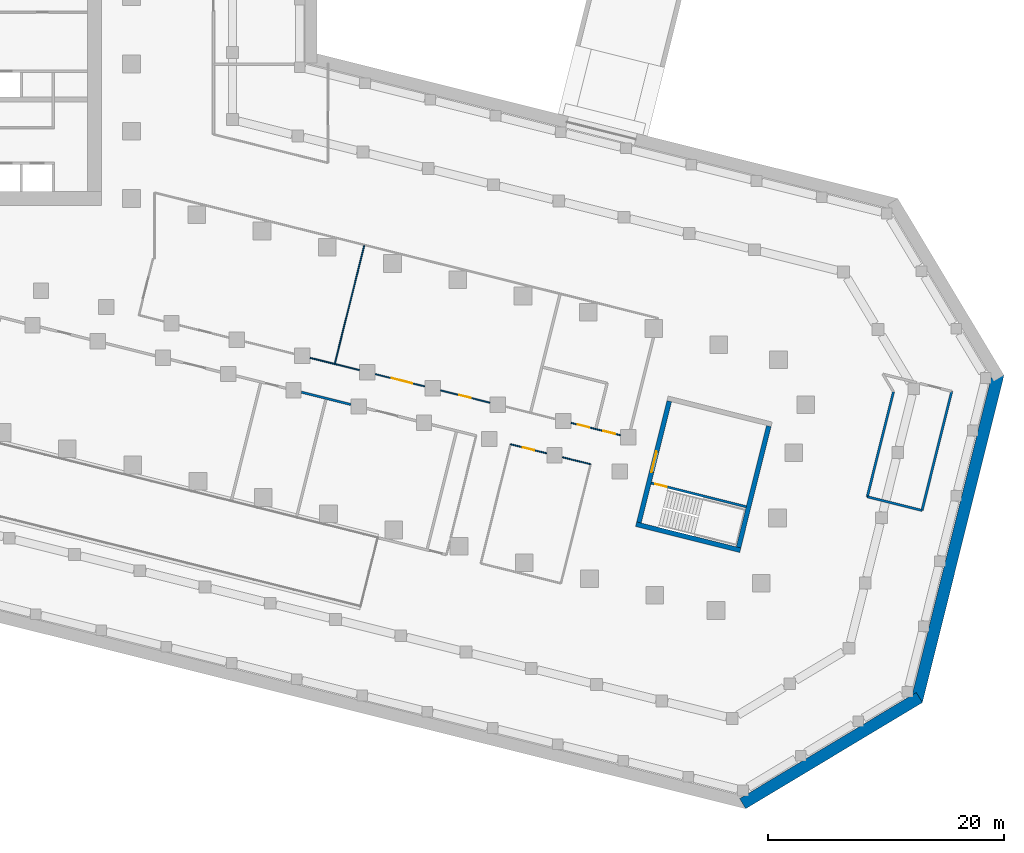
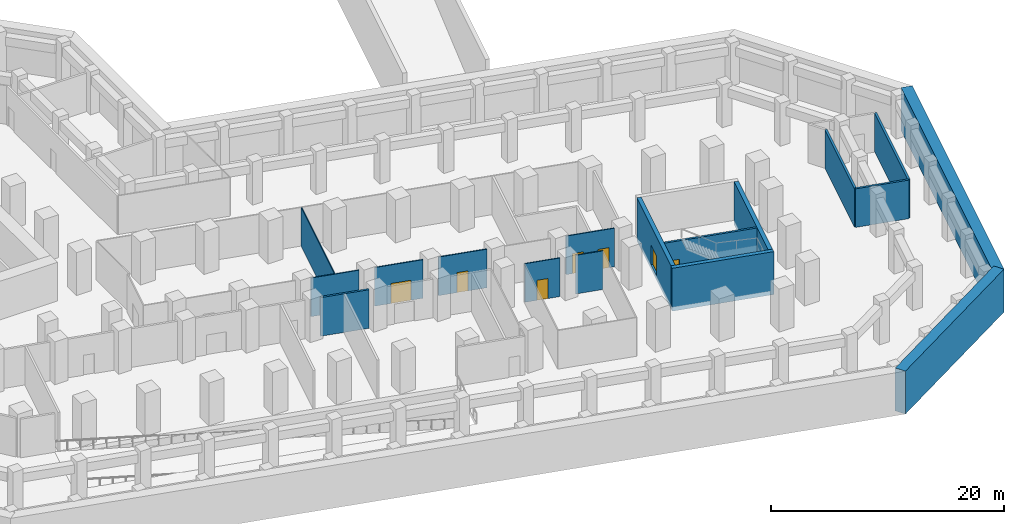
# One storey, part 7 of 14: 17 walls, 7 doors, 7 openings.
"""IFC4 building model written with IfcOpenShell, lengths in metres."""

from ifc_helpers import new_model, si_unit, direction, frame, frame_2d, origin, place, context, subcontext, project, spatial, rectangle, extrude, material, layer, layer_set, type_object, element, fill, save


model = new_model("IFC4")

# Units and contexts
model_context = context("Model", 3, precision=1e-05, world=origin(), true_north=direction((0.0, 1.0)))
body_context = subcontext(model_context, "Body", "Model", "MODEL_VIEW")
ifc_project = project(units=[si_unit("LENGTHUNIT", "METRE"), si_unit("AREAUNIT", "SQUARE_METRE"), si_unit("VOLUMEUNIT", "CUBIC_METRE"), si_unit("PLANEANGLEUNIT", "RADIAN"), si_unit("MASSUNIT", "GRAM", prefix="KILO")], contexts=[model_context])

# Site, building, storey
site_placement = place(None, origin())
site = spatial("IfcSite", under=ifc_project, at=site_placement, CompositionType="ELEMENT")
building_placement = place(site_placement, origin())
building = spatial("IfcBuilding", under=site, at=building_placement, Name="Meshkara Civic Tower", CompositionType="ELEMENT")
storey_placement = place(building_placement, frame((0.0, 0.0, -4.5)))
storey = spatial("IfcBuildingStorey", under=building, at=storey_placement, Name="B1", CompositionType="ELEMENT", Elevation=-4.5)

# Wall
ifc_material_1 = material(Name="Corridor wall 100")
ifc_layer_1 = layer(ifc_material_1, 0.10009765625)
ifc_layer_set_1 = layer_set([ifc_layer_1], Name="Corridor wall 100")
wall_type_1 = type_object("IfcWallType", Name="Corridor wall 100", PredefinedType="PARTITIONING", material=ifc_layer_set_1)
wall_1_placement = place(storey_placement, frame((48.472900390625, 1.208984375, 0.0), z_axis=(0.0, 0.0, 1.0), x_axis=(0.970298563138, -0.241910517285, 0.0)))
element("IfcWall", 1, at=wall_1_placement, inside=storey, type_object=wall_type_1, Name="B1-R062", PredefinedType="PARTITIONING", context=body_context, shape_type="SweptSolid", body=[
    extrude(rectangle(XDim=4.3193359375, YDim=0.10009765625, at=frame_2d((2.15966796875, 0.0))), origin(), (0.0, 0.0, 1.0), 4.050048828125),
])

# Wall, opening, door
wall_2_placement = place(storey_placement, frame((58.194091796875, -1.214111328125, 0.0), z_axis=(0.0, 0.0, 1.0), x_axis=(-0.970325134426, 0.241803915396, 0.0)))
wall_2 = element("IfcWall", 2, at=wall_2_placement, inside=storey, type_object=wall_type_1, Name="B1-R067", PredefinedType="PARTITIONING", context=body_context, shape_type="SweptSolid", body=[
    extrude(rectangle(XDim=4.318359375, YDim=0.10009765625, at=frame_2d((2.1591796875, 0.0))), origin(), (0.0, 0.0, 1.0), 4.050048828125),
])
opening_1_placement = place(wall_2_placement, frame((1.080078125, 0.0, 0.0)))
opening_1 = element("IfcOpeningElement", 3, at=opening_1_placement, cuts=wall_2, Name="Opening B1-P006", PredefinedType="OPENING", context=body_context, shape_type="SweptSolid", body=[
    extrude(rectangle(XDim=1.800048828125, YDim=2.10009765625, at=frame_2d((0.89990234375, 1.050048828125))), frame((0.0, 0.06005859375, 0.0), z_axis=(0.0, -1.0, 0.0), x_axis=(1.0, 0.0, 0.0)), (0.0, 0.0, 1.0), 0.1201171875),
])
ifc_material_2 = material(Name="Door pair 1800 x 2100")
door_type_1 = type_object("IfcDoorType", Name="Door pair 1800 x 2100", OperationType="SINGLE_SWING_LEFT", PredefinedType="DOOR", material=ifc_material_2)
door_1_placement = place(opening_1_placement, origin())
door_1 = element("IfcDoor", 4, at=door_1_placement, inside=storey, type_object=door_type_1, Name="B1-P006", OperationType="DOUBLE_DOOR_SINGLE_SWING", OverallHeight=2.10009765625, OverallWidth=1.800048828125, PredefinedType="DOOR", context=body_context, shape_type="SweptSolid", body=[
    extrude(rectangle(XDim=1.800048828125, YDim=2.10009765625, at=frame_2d((0.89990234375, 1.050048828125))), frame((0.0, 0.02490234375, 0.0), z_axis=(0.0, -1.0, 0.0), x_axis=(1.0, 0.0, 0.0)), (0.0, 0.0, 1.0), 0.050048828125),
])
fill(opening_1, door_1)

wall_3_placement = place(storey_placement, frame((63.72509765625, -2.593994140625, 0.0), z_axis=(0.0, 0.0, 1.0), x_axis=(-0.970298563138, 0.241910517285, 0.0)))
wall_3 = element("IfcWall", 5, at=wall_3_placement, inside=storey, type_object=wall_type_1, Name="B1-R072", PredefinedType="PARTITIONING", context=body_context, shape_type="SweptSolid", body=[
    extrude(rectangle(XDim=4.3193359375, YDim=0.10009765625, at=frame_2d((2.15966796875, 0.0))), origin(), (0.0, 0.0, 1.0), 4.050048828125),
])
opening_2_placement = place(wall_3_placement, frame((1.679931640625, 0.0, 0.0)))
opening_2 = element("IfcOpeningElement", 6, at=opening_2_placement, cuts=wall_3, Name="Opening B1-P007", PredefinedType="OPENING", context=body_context, shape_type="SweptSolid", body=[
    extrude(rectangle(XDim=1.0, YDim=2.10009765625, at=frame_2d((0.5, 1.050048828125))), frame((0.0, 0.06005859375, 0.0), z_axis=(0.0, -1.0, 0.0), x_axis=(1.0, 0.0, 0.0)), (0.0, 0.0, 1.0), 0.1201171875),
])
ifc_material_3 = material(Name="Door 1000 x 2100")
door_type_2 = type_object("IfcDoorType", Name="Door 1000 x 2100", OperationType="SINGLE_SWING_LEFT", PredefinedType="DOOR", material=ifc_material_3)
door_2_placement = place(opening_2_placement, origin())
door_2 = element("IfcDoor", 7, at=door_2_placement, inside=storey, type_object=door_type_2, Name="B1-P007", OperationType="SINGLE_SWING_RIGHT", OverallHeight=2.10009765625, OverallWidth=1.0, PredefinedType="DOOR", context=body_context, shape_type="SweptSolid", body=[
    extrude(rectangle(XDim=1.0, YDim=2.10009765625, at=frame_2d((0.5, 1.050048828125))), frame((0.0, 0.02490234375, 0.0), z_axis=(0.0, -1.0, 0.0), x_axis=(1.0, 0.0, 0.0)), (0.0, 0.0, 1.0), 0.050048828125),
])
fill(opening_2, door_2)

wall_4_placement = place(storey_placement, frame((65.464111328125, -6.118896484375, 0.0), z_axis=(0.0, 0.0, 1.0), x_axis=(0.970314967916, -0.241844708519, 0.0)))
wall_4 = element("IfcWall", 8, at=wall_4_placement, inside=storey, type_object=wall_type_1, Name="B1-R074", PredefinedType="PARTITIONING", context=body_context, shape_type="SweptSolid", body=[
    extrude(rectangle(XDim=3.15966796875, YDim=0.10009765625, at=frame_2d((1.579833984375, 0.0))), origin(), (0.0, 0.0, 1.0), 4.050048828125),
])
opening_3_placement = place(wall_4_placement, frame((1.080078125, 0.0, 0.0)))
opening_3 = element("IfcOpeningElement", 9, at=opening_3_placement, cuts=wall_4, Name="Opening B1-P002", PredefinedType="OPENING", context=body_context, shape_type="SweptSolid", body=[
    extrude(rectangle(XDim=1.0, YDim=2.10009765625, at=frame_2d((0.5, 1.050048828125))), frame((0.0, 0.06005859375, 0.0), z_axis=(0.0, -1.0, 0.0), x_axis=(1.0, 0.0, 0.0)), (0.0, 0.0, 1.0), 0.1201171875),
])
door_3_placement = place(opening_3_placement, origin())
door_3 = element("IfcDoor", 10, at=door_3_placement, inside=storey, type_object=door_type_2, Name="B1-P002", OperationType="SINGLE_SWING_RIGHT", OverallHeight=2.10009765625, OverallWidth=1.0, PredefinedType="DOOR", context=body_context, shape_type="SweptSolid", body=[
    extrude(rectangle(XDim=1.0, YDim=2.10009765625, at=frame_2d((0.5, 1.050048828125))), frame((0.0, 0.02490234375, 0.0), z_axis=(0.0, -1.0, 0.0), x_axis=(1.0, 0.0, 0.0)), (0.0, 0.0, 1.0), 0.050048828125),
])
fill(opening_3, door_3)

# Wall
wall_5_placement = place(storey_placement, frame((69.8701171875, -7.217041015625, 0.0), z_axis=(0.0, 0.0, 1.0), x_axis=(0.970311562898, -0.241858369519, 0.0)))
element("IfcWall", 11, at=wall_5_placement, inside=storey, type_object=wall_type_1, Name="B1-R076", PredefinedType="PARTITIONING", context=body_context, shape_type="SweptSolid", body=[
    extrude(rectangle(XDim=2.4599609375, YDim=0.10009765625, at=frame_2d((1.22998046875, 0.0))), origin(), (0.0, 0.0, 1.0), 4.050048828125),
])

# Wall, openings, doors
wall_6_placement = place(storey_placement, frame((70.595947265625, -4.306884765625, 0.0), z_axis=(0.0, 0.0, 1.0), x_axis=(0.970321828551, -0.241817181023, 0.0)))
wall_6 = element("IfcWall", 12, at=wall_6_placement, inside=storey, type_object=wall_type_1, Name="B1-R077", PredefinedType="PARTITIONING", context=body_context, shape_type="SweptSolid", body=[
    extrude(rectangle(XDim=4.318115234375, YDim=0.10009765625, at=frame_2d((2.1591796875, 0.0))), origin(), (0.0, 0.0, 1.0), 4.050048828125),
])
opening_4_placement = place(wall_6_placement, frame((0.580078125, 0.0, 0.0)))
opening_4 = element("IfcOpeningElement", 13, at=opening_4_placement, cuts=wall_6, Name="Opening B1-P008", PredefinedType="OPENING", context=body_context, shape_type="SweptSolid", body=[
    extrude(rectangle(XDim=1.0, YDim=2.10009765625, at=frame_2d((0.5, 1.050048828125))), frame((0.0, 0.06005859375, 0.0), z_axis=(0.0, -1.0, 0.0), x_axis=(1.0, 0.0, 0.0)), (0.0, 0.0, 1.0), 0.1201171875),
])
opening_5_placement = place(wall_6_placement, frame((2.839111328125, 0.0, 0.0)))
opening_5 = element("IfcOpeningElement", 14, at=opening_5_placement, cuts=wall_6, Name="Opening B1-P009", PredefinedType="OPENING", context=body_context, shape_type="SweptSolid", body=[
    extrude(rectangle(XDim=1.0, YDim=2.10009765625, at=frame_2d((0.5, 1.050048828125))), frame((0.0, 0.06005859375, 0.0), z_axis=(0.0, -1.0, 0.0), x_axis=(1.0, 0.0, 0.0)), (0.0, 0.0, 1.0), 0.1201171875),
])
door_4_placement = place(opening_4_placement, origin())
door_4 = element("IfcDoor", 15, at=door_4_placement, inside=storey, type_object=door_type_2, Name="B1-P008", OperationType="SINGLE_SWING_LEFT", OverallHeight=2.10009765625, OverallWidth=1.0, PredefinedType="DOOR", context=body_context, shape_type="SweptSolid", body=[
    extrude(rectangle(XDim=1.0, YDim=2.10009765625, at=frame_2d((0.5, 1.050048828125))), frame((0.0, 0.02490234375, 0.0), z_axis=(0.0, -1.0, 0.0), x_axis=(1.0, 0.0, 0.0)), (0.0, 0.0, 1.0), 0.050048828125),
])
fill(opening_4, door_4)
door_5_placement = place(opening_5_placement, origin())
door_5 = element("IfcDoor", 16, at=door_5_placement, inside=storey, type_object=door_type_2, Name="B1-P009", OperationType="SINGLE_SWING_RIGHT", OverallHeight=2.10009765625, OverallWidth=1.0, PredefinedType="DOOR", context=body_context, shape_type="SweptSolid", body=[
    extrude(rectangle(XDim=1.0, YDim=2.10009765625, at=frame_2d((0.5, 1.050048828125))), frame((0.0, 0.02490234375, 0.0), z_axis=(0.0, -1.0, 0.0), x_axis=(1.0, 0.0, 0.0)), (0.0, 0.0, 1.0), 0.050048828125),
])
fill(opening_5, door_5)

# Walls
ifc_material_4 = material(Name="Concrete C50", Category="concrete")
ifc_layer_2 = layer(ifc_material_4, 1.0)
ifc_layer_set_2 = layer_set([ifc_layer_2], Name="Diaphragm wall 1000 C50")
wall_type_2 = type_object("IfcWallType", Name="Diaphragm wall 1000 C50", PredefinedType="SOLIDWALL", material=ifc_layer_set_2)
wall_7_placement = place(storey_placement, frame((106.807373046875, -0.14599609375, 0.0), z_axis=(0.0, 0.0, 1.0), x_axis=(-0.241950976383, -0.97028847516, 0.0)))
element("IfcWall", 17, at=wall_7_placement, inside=storey, type_object=wall_type_2, Name="Basement perimeter wall", PredefinedType="SOLIDWALL", context=body_context, shape_type="SweptSolid", body=[
    extrude(rectangle(XDim=28.594482421875, YDim=1.0, at=frame_2d((14.29736328125, 0.0))), origin(), (0.0, 0.0, 1.0), 4.5),
])
wall_8_placement = place(storey_placement, frame((100.116455078125, -27.583251953125, 0.0), z_axis=(0.0, 0.0, 1.0), x_axis=(-0.857158566266, -0.515052611174, 0.0)))
element("IfcWall", 18, at=wall_8_placement, inside=storey, type_object=wall_type_2, Name="Basement perimeter wall", PredefinedType="SOLIDWALL", context=body_context, shape_type="SweptSolid", body=[
    extrude(rectangle(XDim=17.46923828125, YDim=1.0, at=frame_2d((8.734619140625, 0.0))), origin(), (0.0, 0.0, 1.0), 4.5),
])
ifc_material_5 = material(Name="Concrete C80", Category="concrete")
ifc_layer_3 = layer(ifc_material_5, 0.39990234375)
ifc_layer_set_3 = layer_set([ifc_layer_3], Name="End core ring wall 400 C80")
wall_type_3 = type_object("IfcWallType", Name="End core ring wall 400 C80", PredefinedType="SHEAR", material=ifc_layer_set_3)
wall_9_placement = place(storey_placement, frame((76.111083984375, -12.89599609375, -0.449951171875), z_axis=(0.0, 0.0, 1.0), x_axis=(0.970311127573, -0.241860115992, 0.0)))
element("IfcWall", 19, at=wall_9_placement, inside=storey, type_object=wall_type_3, Name="B1-C030", PredefinedType="SHEAR", context=body_context, shape_type="SweptSolid", body=[
    extrude(rectangle(XDim=9.10009765625, YDim=0.39990234375, at=frame_2d((4.550048828125, 0.0))), origin(), (0.0, 0.0, 1.0), 4.5),
])

# Wall, opening, door
wall_10_placement = place(storey_placement, frame((76.35302734375, -12.75, -0.449951171875), z_axis=(0.0, 0.0, 1.0), x_axis=(0.241977390218, 0.970281888228, 0.0)))
wall_10 = element("IfcWall", 20, at=wall_10_placement, inside=storey, type_object=wall_type_3, Name="B1-C032", PredefinedType="SHEAR", context=body_context, shape_type="SweptSolid", body=[
    extrude(rectangle(XDim=10.599853515625, YDim=0.39990234375, at=frame_2d((5.2998046875, 0.0))), origin(), (0.0, 0.0, 1.0), 4.5),
])
opening_6_placement = place(wall_10_placement, frame((4.39990234375, 0.0, 0.449951171875)))
opening_6 = element("IfcOpeningElement", 21, at=opening_6_placement, cuts=wall_10, Name="Opening B1-K202", PredefinedType="OPENING", context=body_context, shape_type="SweptSolid", body=[
    extrude(rectangle(XDim=1.800048828125, YDim=2.10009765625, at=frame_2d((0.89990234375, 1.050048828125))), frame((0.0, 0.2099609375, 0.0), z_axis=(0.0, -1.0, 0.0), x_axis=(1.0, 0.0, 0.0)), (0.0, 0.0, 1.0), 0.419921875),
])
ifc_material_6 = material(Name="Fire-rated door leaf in steel frame", Category="steel")
door_type_3 = type_object("IfcDoorType", Name="Core double door 1800 EI 60", OperationType="DOUBLE_DOOR_SINGLE_SWING", PredefinedType="DOOR", material=ifc_material_6)
door_6_placement = place(opening_6_placement, origin())
door_6 = element("IfcDoor", 22, at=door_6_placement, inside=storey, type_object=door_type_3, Name="B1-K202", OperationType="DOUBLE_DOOR_SINGLE_SWING", OverallHeight=2.10009765625, OverallWidth=1.800048828125, PredefinedType="DOOR", context=body_context, shape_type="SweptSolid", body=[
    extrude(rectangle(XDim=1.800048828125, YDim=2.10009765625, at=frame_2d((0.89990234375, 1.050048828125))), frame((0.0, 0.02490234375, 0.0), z_axis=(0.0, -1.0, 0.0), x_axis=(1.0, 0.0, 0.0)), (0.0, 0.0, 1.0), 0.050048828125),
])
fill(opening_6, door_6)

# Walls
wall_11_placement = place(storey_placement, frame((84.794921875, -14.85498046875, -0.449951171875), z_axis=(0.0, 0.0, 1.0), x_axis=(0.241890652548, 0.970303515509, 0.0)))
element("IfcWall", 23, at=wall_11_placement, inside=storey, type_object=wall_type_3, Name="B1-C033", PredefinedType="SHEAR", context=body_context, shape_type="SweptSolid", body=[
    extrude(rectangle(XDim=10.599609375, YDim=0.39990234375, at=frame_2d((5.2998046875, 0.0))), origin(), (0.0, 0.0, 1.0), 4.5),
])
ifc_material_7 = material(Name="Fire-rated wall 200")
ifc_layer_4 = layer(ifc_material_7, 0.199951171875)
ifc_layer_set_4 = layer_set([ifc_layer_4], Name="Fire-rated wall 200")
wall_type_4 = type_object("IfcWallType", Name="Fire-rated wall 200", PredefinedType="PARTITIONING", material=ifc_layer_set_4)
wall_12_placement = place(storey_placement, frame((47.7470703125, -1.701904296875, 0.0), z_axis=(0.0, 0.0, 1.0), x_axis=(0.97028198557, -0.241976999897, 0.0)))
element("IfcWall", 24, at=wall_12_placement, inside=storey, type_object=wall_type_4, Name="B1-R061", PredefinedType="PARTITIONING", context=body_context, shape_type="SweptSolid", body=[
    extrude(rectangle(XDim=4.3193359375, YDim=0.199951171875, at=frame_2d((2.15966796875, 0.0))), origin(), (0.0, 0.0, 1.0), 4.050048828125),
])
wall_13_placement = place(storey_placement, frame((95.7060546875, -10.56689453125, 0.0), z_axis=(0.0, 0.0, 1.0), x_axis=(0.24192182003, 0.970295745118, 0.0)))
element("IfcWall", 25, at=wall_13_placement, inside=storey, type_object=wall_type_4, Name="B1-R080", PredefinedType="PARTITIONING", context=body_context, shape_type="SweptSolid", body=[
    extrude(rectangle(XDim=9.17236328125, YDim=0.199951171875, at=frame_2d((4.586181640625, 0.0))), origin(), (0.0, 0.0, 1.0), 4.050048828125),
])
wall_14_placement = place(storey_placement, frame((100.343994140625, -11.722900390625, 0.0), z_axis=(0.0, 0.0, 1.0), x_axis=(-0.970313517125, 0.24185052922, 0.0)))
element("IfcWall", 26, at=wall_14_placement, inside=storey, type_object=wall_type_4, Name="B1-R084", PredefinedType="PARTITIONING", context=body_context, shape_type="SweptSolid", body=[
    extrude(rectangle(XDim=4.77978515625, YDim=0.199951171875, at=frame_2d((2.389892578125, 0.0))), origin(), (0.0, 0.0, 1.0), 4.050048828125),
])
wall_15_placement = place(storey_placement, frame((102.860107421875, -1.633056640625, 0.0), z_axis=(0.0, 0.0, 1.0), x_axis=(-0.241961069632, -0.970285958253, 0.0)))
element("IfcWall", 27, at=wall_15_placement, inside=storey, type_object=wall_type_4, Name="B1-R085", PredefinedType="PARTITIONING", context=body_context, shape_type="SweptSolid", body=[
    extrude(rectangle(XDim=10.39892578125, YDim=0.199951171875, at=frame_2d((5.199462890625, 0.0))), origin(), (0.0, 0.0, 1.0), 4.050048828125),
])
ifc_material_8 = material(Name="Partition 100")
ifc_layer_5 = layer(ifc_material_8, 0.10009765625)
ifc_layer_set_5 = layer_set([ifc_layer_5], Name="Partition 100")
wall_type_5 = type_object("IfcWallType", Name="Partition 100", PredefinedType="PARTITIONING", material=ifc_layer_set_5)
wall_16_placement = place(storey_placement, frame((50.580078125, 0.736083984375, 0.0), z_axis=(0.0, 0.0, 1.0), x_axis=(0.241961075032, 0.970285956906, 0.0)))
element("IfcWall", 28, at=wall_16_placement, inside=storey, type_object=wall_type_5, Name="B1-R098", PredefinedType="PARTITIONING", context=body_context, shape_type="SweptSolid", body=[
    extrude(rectangle(XDim=10.298828125, YDim=0.10009765625, at=frame_2d((5.1494140625, 0.0))), origin(), (0.0, 0.0, 1.0), 4.050048828125),
])

# Wall, opening, door
ifc_material_9 = material(Name="Concrete C40/50", Category="concrete")
ifc_layer_6 = layer(ifc_material_9, 0.199951171875)
ifc_layer_set_6 = layer_set([ifc_layer_6], Name="Stair enclosure wall 200 C40/50")
wall_type_6 = type_object("IfcWallType", Name="Stair enclosure wall 200 C40/50", PredefinedType="SOLIDWALL", material=ifc_layer_set_6)
wall_17_placement = place(storey_placement, frame((77.39404296875, -9.403076171875, 0.0), z_axis=(0.0, 0.0, 1.0), x_axis=(0.970303192681, -0.241891947516, 0.0)))
wall_17 = element("IfcWall", 29, at=wall_17_placement, inside=storey, type_object=wall_type_6, Name="B1-C034", PredefinedType="SOLIDWALL", context=body_context, shape_type="SweptSolid", body=[
    extrude(rectangle(XDim=8.300537109375, YDim=0.199951171875, at=frame_2d((4.150390625, 0.0))), origin(), (0.0, 0.0, 1.0), 4.050048828125),
])
opening_7_placement = place(wall_17_placement, frame((0.35009765625, 0.0, 0.0)))
opening_7 = element("IfcOpeningElement", 30, at=opening_7_placement, cuts=wall_17, Name="Opening B1-K201", PredefinedType="OPENING", context=body_context, shape_type="SweptSolid", body=[
    extrude(rectangle(XDim=1.0, YDim=2.10009765625, at=frame_2d((0.5, 1.050048828125))), frame((0.0, 0.10986328125, 0.0), z_axis=(0.0, -1.0, 0.0), x_axis=(1.0, 0.0, 0.0)), (0.0, 0.0, 1.0), 0.219970703125),
])
ifc_material_10 = material(Name="Fire-rated door leaf in steel frame", Category="steel")
door_type_4 = type_object("IfcDoorType", Name="Stair door 1000 EI 120", OperationType="SINGLE_SWING_LEFT", PredefinedType="DOOR", material=ifc_material_10)
door_7_placement = place(opening_7_placement, origin())
door_7 = element("IfcDoor", 31, at=door_7_placement, inside=storey, type_object=door_type_4, Name="B1-K201", OperationType="SINGLE_SWING_LEFT", OverallHeight=2.10009765625, OverallWidth=1.0, PredefinedType="DOOR", context=body_context, shape_type="SweptSolid", body=[
    extrude(rectangle(XDim=1.0, YDim=2.10009765625, at=frame_2d((0.5, 1.050048828125))), frame((0.0, 0.02490234375, 0.0), z_axis=(0.0, -1.0, 0.0), x_axis=(1.0, 0.0, 0.0)), (0.0, 0.0, 1.0), 0.050048828125),
])
fill(opening_7, door_7)

save(model, "model.ifc")
